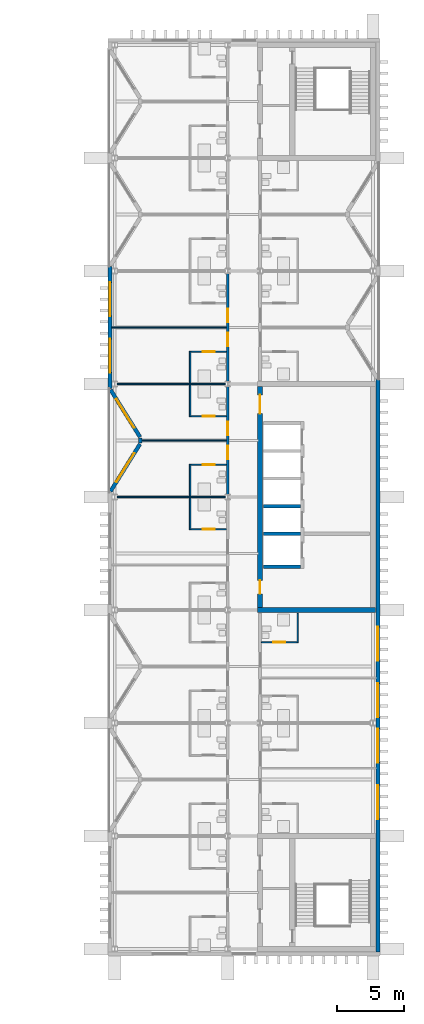
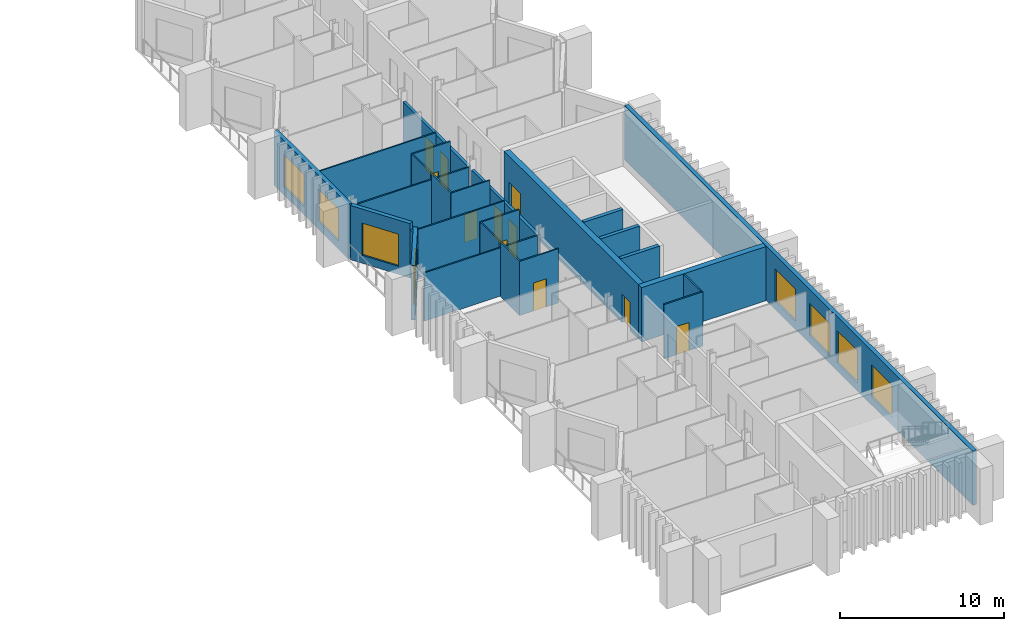
# One storey, part 13 of 18: 26 walls, 11 doors, 8 windows, 19 openings.
"""IFC4 building model written with IfcOpenShell, lengths in metres."""

from ifc_helpers import new_model, si_unit, direction, frame, frame_2d, origin, place, context, subcontext, project, spatial, rectangle, extrude, material, layer, layer_set, type_object, element, fill, save


model = new_model("IFC4")

# Units and contexts
model_context = context("Model", 3, precision=1e-05, world=origin(), true_north=direction((0.0, 1.0)))
body_context = subcontext(model_context, "Body", "Model", "MODEL_VIEW")
ifc_project = project(units=[si_unit("LENGTHUNIT", "METRE"), si_unit("AREAUNIT", "SQUARE_METRE"), si_unit("VOLUMEUNIT", "CUBIC_METRE"), si_unit("PLANEANGLEUNIT", "RADIAN"), si_unit("MASSUNIT", "GRAM", prefix="KILO")], contexts=[model_context])

# Site, building, storey
site_placement = place(None, origin())
site = spatial("IfcSite", under=ifc_project, at=site_placement, CompositionType="ELEMENT")
building_placement = place(site_placement, origin())
building = spatial("IfcBuilding", under=site, at=building_placement, Name="Cresset Court Congress Hotel", CompositionType="ELEMENT")
storey_placement = place(building_placement, frame((0.0, 0.0, 35.39990234375)))
storey = spatial("IfcBuildingStorey", under=building, at=storey_placement, Name="L08", CompositionType="ELEMENT", Elevation=35.39990234375)

# Wall, openings, doors
ifc_material_1 = material(Name="Gypsum board partition")
ifc_layer_1 = layer(ifc_material_1, 0.199951171875)
ifc_layer_set_1 = layer_set([ifc_layer_1], Name="Corridor wall 200")
wall_type_1 = type_object("IfcWallType", Name="Corridor wall 200", PredefinedType="PARTITIONING", material=ifc_layer_set_1)
wall_1_placement = place(storey_placement, frame((165.60009765625, 33.800048828125, 0.0), z_axis=(0.0, 0.0, 1.0), x_axis=(0.0, 1.0, 0.0)))
wall_1 = element("IfcWall", 1, at=wall_1_placement, inside=storey, type_object=wall_type_1, Name="A.wl.L08.074", PredefinedType="PARTITIONING", context=body_context, shape_type="SweptSolid", body=[
    extrude(rectangle(XDim=8.0, YDim=0.199951171875, at=frame_2d((4.0, 0.0))), origin(), (0.0, 0.0, 1.0), 3.4501953125),
])
opening_1_placement = place(wall_1_placement, frame((2.60009765625, 0.0, 0.0)))
opening_1 = element("IfcOpeningElement", 2, at=opening_1_placement, cuts=wall_1, Name="Opening DA-08-18", PredefinedType="OPENING", context=body_context, shape_type="SweptSolid", body=[
    extrude(rectangle(XDim=1.0, YDim=2.39990234375, at=frame_2d((0.5, 1.199951171875))), frame((0.0, 0.10986328125, 0.0), z_axis=(0.0, -1.0, 0.0), x_axis=(1.0, 0.0, 0.0)), (0.0, 0.0, 1.0), 0.219970703125),
])
opening_2_placement = place(wall_1_placement, frame((4.39990234375, 0.0, 0.0)))
opening_2 = element("IfcOpeningElement", 3, at=opening_2_placement, cuts=wall_1, Name="Opening DA-08-20", PredefinedType="OPENING", context=body_context, shape_type="SweptSolid", body=[
    extrude(rectangle(XDim=1.0, YDim=2.39990234375, at=frame_2d((0.5, 1.199951171875))), frame((0.0, 0.10986328125, 0.0), z_axis=(0.0, -1.0, 0.0), x_axis=(1.0, 0.0, 0.0)), (0.0, 0.0, 1.0), 0.219970703125),
])
ifc_material_2 = material(Name="timber", Category="wood")
door_type_1 = type_object("IfcDoorType", Name="Guest-room entry door 1000x2400 FD30S", OperationType="SINGLE_SWING_LEFT", PredefinedType="DOOR", material=ifc_material_2)
door_1_placement = place(opening_1_placement, origin())
door_1 = element("IfcDoor", 4, at=door_1_placement, inside=storey, type_object=door_type_1, Name="Door DA-08-18", OperationType="SINGLE_SWING_RIGHT", OverallHeight=2.39990234375, OverallWidth=1.0, PredefinedType="DOOR", context=body_context, shape_type="SweptSolid", body=[
    extrude(rectangle(XDim=1.0, YDim=2.39990234375, at=frame_2d((0.5, 1.199951171875))), frame((0.0, 0.02490234375, 0.0), z_axis=(0.0, -1.0, 0.0), x_axis=(1.0, 0.0, 0.0)), (0.0, 0.0, 1.0), 0.050048828125),
])
fill(opening_1, door_1)
door_2_placement = place(opening_2_placement, origin())
door_2 = element("IfcDoor", 5, at=door_2_placement, inside=storey, type_object=door_type_1, Name="Door DA-08-20", OperationType="SINGLE_SWING_LEFT", OverallHeight=2.39990234375, OverallWidth=1.0, PredefinedType="DOOR", context=body_context, shape_type="SweptSolid", body=[
    extrude(rectangle(XDim=1.0, YDim=2.39990234375, at=frame_2d((0.5, 1.199951171875))), frame((0.0, 0.02490234375, 0.0), z_axis=(0.0, -1.0, 0.0), x_axis=(1.0, 0.0, 0.0)), (0.0, 0.0, 1.0), 0.050048828125),
])
fill(opening_2, door_2)

wall_2_placement = place(storey_placement, frame((165.60009765625, 42.199951171875, 0.0), z_axis=(0.0, 0.0, 1.0), x_axis=(0.0, 1.0, 0.0)))
wall_2 = element("IfcWall", 6, at=wall_2_placement, inside=storey, type_object=wall_type_1, Name="A.wl.L08.075", PredefinedType="PARTITIONING", context=body_context, shape_type="SweptSolid", body=[
    extrude(rectangle(XDim=8.0, YDim=0.199951171875, at=frame_2d((4.0, 0.0))), origin(), (0.0, 0.0, 1.0), 3.4501953125),
])
opening_3_placement = place(wall_2_placement, frame((2.60009765625, 0.0, 0.0)))
opening_3 = element("IfcOpeningElement", 7, at=opening_3_placement, cuts=wall_2, Name="Opening DA-08-22", PredefinedType="OPENING", context=body_context, shape_type="SweptSolid", body=[
    extrude(rectangle(XDim=1.0, YDim=2.39990234375, at=frame_2d((0.5, 1.199951171875))), frame((0.0, 0.10986328125, 0.0), z_axis=(0.0, -1.0, 0.0), x_axis=(1.0, 0.0, 0.0)), (0.0, 0.0, 1.0), 0.219970703125),
])
opening_4_placement = place(wall_2_placement, frame((4.39990234375, 0.0, 0.0)))
opening_4 = element("IfcOpeningElement", 8, at=opening_4_placement, cuts=wall_2, Name="Opening DA-08-24", PredefinedType="OPENING", context=body_context, shape_type="SweptSolid", body=[
    extrude(rectangle(XDim=1.0, YDim=2.39990234375, at=frame_2d((0.5, 1.199951171875))), frame((0.0, 0.10986328125, 0.0), z_axis=(0.0, -1.0, 0.0), x_axis=(1.0, 0.0, 0.0)), (0.0, 0.0, 1.0), 0.219970703125),
])
door_3_placement = place(opening_3_placement, origin())
door_3 = element("IfcDoor", 9, at=door_3_placement, inside=storey, type_object=door_type_1, Name="Door DA-08-22", OperationType="SINGLE_SWING_RIGHT", OverallHeight=2.39990234375, OverallWidth=1.0, PredefinedType="DOOR", context=body_context, shape_type="SweptSolid", body=[
    extrude(rectangle(XDim=1.0, YDim=2.39990234375, at=frame_2d((0.5, 1.199951171875))), frame((0.0, 0.02490234375, 0.0), z_axis=(0.0, -1.0, 0.0), x_axis=(1.0, 0.0, 0.0)), (0.0, 0.0, 1.0), 0.050048828125),
])
fill(opening_3, door_3)
door_4_placement = place(opening_4_placement, origin())
door_4 = element("IfcDoor", 10, at=door_4_placement, inside=storey, type_object=door_type_1, Name="Door DA-08-24", OperationType="SINGLE_SWING_LEFT", OverallHeight=2.39990234375, OverallWidth=1.0, PredefinedType="DOOR", context=body_context, shape_type="SweptSolid", body=[
    extrude(rectangle(XDim=1.0, YDim=2.39990234375, at=frame_2d((0.5, 1.199951171875))), frame((0.0, 0.02490234375, 0.0), z_axis=(0.0, -1.0, 0.0), x_axis=(1.0, 0.0, 0.0)), (0.0, 0.0, 1.0), 0.050048828125),
])
fill(opening_4, door_4)

# Wall
ifc_material_3 = material(Name="Gypsum board partition")
ifc_layer_2 = layer(ifc_material_3, 0.10009765625)
ifc_layer_set_2 = layer_set([ifc_layer_2], Name="En-suite wall 100")
wall_type_2 = type_object("IfcWallType", Name="En-suite wall 100", PredefinedType="PARTITIONING", material=ifc_layer_set_2)
wall_3_placement = place(storey_placement, frame((162.800048828125, 31.199951171875, 0.0), z_axis=(0.0, 0.0, 1.0), x_axis=(0.0, 1.0, 0.0)))
element("IfcWall", 11, at=wall_3_placement, inside=storey, type_object=wall_type_2, Name="A.wl.L08.015", PredefinedType="PARTITIONING", context=body_context, shape_type="SweptSolid", body=[
    extrude(rectangle(XDim=2.324951171875, YDim=0.10009765625, at=frame_2d((1.16259765625, 0.0))), origin(), (0.0, 0.0, 1.0), 4.050048828125),
])

# Wall, opening, door
wall_4_placement = place(storey_placement, frame((162.75, 31.199951171875, 0.0), z_axis=(0.0, 0.0, 1.0), x_axis=(1.0, 0.0, 0.0)))
wall_4 = element("IfcWall", 12, at=wall_4_placement, inside=storey, type_object=wall_type_2, Name="A.wl.L08.016", PredefinedType="PARTITIONING", context=body_context, shape_type="SweptSolid", body=[
    extrude(rectangle(XDim=2.75, YDim=0.10009765625, at=frame_2d((1.375, 0.0))), origin(), (0.0, 0.0, 1.0), 4.050048828125),
])
opening_5_placement = place(wall_4_placement, frame((0.97998046875, 0.0, 0.0)))
opening_5 = element("IfcOpeningElement", 13, at=opening_5_placement, cuts=wall_4, Name="Opening DA-08-15", PredefinedType="OPENING", context=body_context, shape_type="SweptSolid", body=[
    extrude(rectangle(XDim=0.89990234375, YDim=2.10009765625, at=frame_2d((0.449951171875, 1.050048828125))), frame((0.0, 0.06005859375, 0.0), z_axis=(0.0, -1.0, 0.0), x_axis=(1.0, 0.0, 0.0)), (0.0, 0.0, 1.0), 0.1201171875),
])
ifc_material_4 = material(Name="timber", Category="wood")
door_type_2 = type_object("IfcDoorType", Name="En-suite door 900x2100", OperationType="SINGLE_SWING_LEFT", PredefinedType="DOOR", material=ifc_material_4)
door_5_placement = place(opening_5_placement, origin())
door_5 = element("IfcDoor", 14, at=door_5_placement, inside=storey, type_object=door_type_2, Name="Door DA-08-15", OperationType="SINGLE_SWING_LEFT", OverallHeight=2.10009765625, OverallWidth=0.89990234375, PredefinedType="DOOR", context=body_context, shape_type="SweptSolid", body=[
    extrude(rectangle(XDim=0.89990234375, YDim=2.10009765625, at=frame_2d((0.449951171875, 1.050048828125))), frame((0.0, 0.02490234375, 0.0), z_axis=(0.0, -1.0, 0.0), x_axis=(1.0, 0.0, 0.0)), (0.0, 0.0, 1.0), 0.050048828125),
])
fill(opening_5, door_5)

# Wall
wall_5_placement = place(storey_placement, frame((162.800048828125, 33.675048828125, 0.0), z_axis=(0.0, 0.0, 1.0), x_axis=(0.0, 1.0, 0.0)))
element("IfcWall", 15, at=wall_5_placement, inside=storey, type_object=wall_type_2, Name="A.wl.L08.017", PredefinedType="PARTITIONING", context=body_context, shape_type="SweptSolid", body=[
    extrude(rectangle(XDim=2.324951171875, YDim=0.10009765625, at=frame_2d((1.16259765625, 0.0))), origin(), (0.0, 0.0, 1.0), 4.050048828125),
])

# Wall, opening, door
wall_6_placement = place(storey_placement, frame((162.75, 36.0, 0.0), z_axis=(0.0, 0.0, 1.0), x_axis=(1.0, 0.0, 0.0)))
wall_6 = element("IfcWall", 16, at=wall_6_placement, inside=storey, type_object=wall_type_2, Name="A.wl.L08.018", PredefinedType="PARTITIONING", context=body_context, shape_type="SweptSolid", body=[
    extrude(rectangle(XDim=2.75, YDim=0.10009765625, at=frame_2d((1.375, 0.0))), origin(), (0.0, 0.0, 1.0), 4.050048828125),
])
opening_6_placement = place(wall_6_placement, frame((0.97998046875, 0.0, 0.0)))
opening_6 = element("IfcOpeningElement", 17, at=opening_6_placement, cuts=wall_6, Name="Opening DA-08-17", PredefinedType="OPENING", context=body_context, shape_type="SweptSolid", body=[
    extrude(rectangle(XDim=0.89990234375, YDim=2.10009765625, at=frame_2d((0.449951171875, 1.050048828125))), frame((0.0, 0.06005859375, 0.0), z_axis=(0.0, -1.0, 0.0), x_axis=(1.0, 0.0, 0.0)), (0.0, 0.0, 1.0), 0.1201171875),
])
door_6_placement = place(opening_6_placement, origin())
door_6 = element("IfcDoor", 18, at=door_6_placement, inside=storey, type_object=door_type_2, Name="Door DA-08-17", OperationType="SINGLE_SWING_RIGHT", OverallHeight=2.10009765625, OverallWidth=0.89990234375, PredefinedType="DOOR", context=body_context, shape_type="SweptSolid", body=[
    extrude(rectangle(XDim=0.89990234375, YDim=2.10009765625, at=frame_2d((0.449951171875, 1.050048828125))), frame((0.0, 0.02490234375, 0.0), z_axis=(0.0, -1.0, 0.0), x_axis=(1.0, 0.0, 0.0)), (0.0, 0.0, 1.0), 0.050048828125),
])
fill(opening_6, door_6)

# Wall
wall_7_placement = place(storey_placement, frame((162.800048828125, 39.60009765625, 0.0), z_axis=(0.0, 0.0, 1.0), x_axis=(0.0, 1.0, 0.0)))
element("IfcWall", 19, at=wall_7_placement, inside=storey, type_object=wall_type_2, Name="A.wl.L08.019", PredefinedType="PARTITIONING", context=body_context, shape_type="SweptSolid", body=[
    extrude(rectangle(XDim=2.324951171875, YDim=0.10009765625, at=frame_2d((1.16259765625, 0.0))), origin(), (0.0, 0.0, 1.0), 4.050048828125),
])

# Wall, opening, door
wall_8_placement = place(storey_placement, frame((162.75, 39.60009765625, 0.0), z_axis=(0.0, 0.0, 1.0), x_axis=(1.0, 0.0, 0.0)))
wall_8 = element("IfcWall", 20, at=wall_8_placement, inside=storey, type_object=wall_type_2, Name="A.wl.L08.020", PredefinedType="PARTITIONING", context=body_context, shape_type="SweptSolid", body=[
    extrude(rectangle(XDim=2.75, YDim=0.10009765625, at=frame_2d((1.375, 0.0))), origin(), (0.0, 0.0, 1.0), 4.050048828125),
])
opening_7_placement = place(wall_8_placement, frame((0.97998046875, 0.0, 0.0)))
opening_7 = element("IfcOpeningElement", 21, at=opening_7_placement, cuts=wall_8, Name="Opening DA-08-19", PredefinedType="OPENING", context=body_context, shape_type="SweptSolid", body=[
    extrude(rectangle(XDim=0.89990234375, YDim=2.10009765625, at=frame_2d((0.449951171875, 1.050048828125))), frame((0.0, 0.06005859375, 0.0), z_axis=(0.0, -1.0, 0.0), x_axis=(1.0, 0.0, 0.0)), (0.0, 0.0, 1.0), 0.1201171875),
])
door_7_placement = place(opening_7_placement, origin())
door_7 = element("IfcDoor", 22, at=door_7_placement, inside=storey, type_object=door_type_2, Name="Door DA-08-19", OperationType="SINGLE_SWING_LEFT", OverallHeight=2.10009765625, OverallWidth=0.89990234375, PredefinedType="DOOR", context=body_context, shape_type="SweptSolid", body=[
    extrude(rectangle(XDim=0.89990234375, YDim=2.10009765625, at=frame_2d((0.449951171875, 1.050048828125))), frame((0.0, 0.02490234375, 0.0), z_axis=(0.0, -1.0, 0.0), x_axis=(1.0, 0.0, 0.0)), (0.0, 0.0, 1.0), 0.050048828125),
])
fill(opening_7, door_7)

# Wall
wall_9_placement = place(storey_placement, frame((162.800048828125, 42.074951171875, 0.0), z_axis=(0.0, 0.0, 1.0), x_axis=(0.0, 1.0, 0.0)))
element("IfcWall", 23, at=wall_9_placement, inside=storey, type_object=wall_type_2, Name="A.wl.L08.021", PredefinedType="PARTITIONING", context=body_context, shape_type="SweptSolid", body=[
    extrude(rectangle(XDim=2.324951171875, YDim=0.10009765625, at=frame_2d((1.16259765625, 0.0))), origin(), (0.0, 0.0, 1.0), 4.050048828125),
])

# Wall, opening, door
wall_10_placement = place(storey_placement, frame((162.75, 44.39990234375, 0.0), z_axis=(0.0, 0.0, 1.0), x_axis=(1.0, 0.0, 0.0)))
wall_10 = element("IfcWall", 24, at=wall_10_placement, inside=storey, type_object=wall_type_2, Name="A.wl.L08.022", PredefinedType="PARTITIONING", context=body_context, shape_type="SweptSolid", body=[
    extrude(rectangle(XDim=2.75, YDim=0.10009765625, at=frame_2d((1.375, 0.0))), origin(), (0.0, 0.0, 1.0), 4.050048828125),
])
opening_8_placement = place(wall_10_placement, frame((0.97998046875, 0.0, 0.0)))
opening_8 = element("IfcOpeningElement", 25, at=opening_8_placement, cuts=wall_10, Name="Opening DA-08-21", PredefinedType="OPENING", context=body_context, shape_type="SweptSolid", body=[
    extrude(rectangle(XDim=0.89990234375, YDim=2.10009765625, at=frame_2d((0.449951171875, 1.050048828125))), frame((0.0, 0.06005859375, 0.0), z_axis=(0.0, -1.0, 0.0), x_axis=(1.0, 0.0, 0.0)), (0.0, 0.0, 1.0), 0.1201171875),
])
door_8_placement = place(opening_8_placement, origin())
door_8 = element("IfcDoor", 26, at=door_8_placement, inside=storey, type_object=door_type_2, Name="Door DA-08-21", OperationType="SINGLE_SWING_RIGHT", OverallHeight=2.10009765625, OverallWidth=0.89990234375, PredefinedType="DOOR", context=body_context, shape_type="SweptSolid", body=[
    extrude(rectangle(XDim=0.89990234375, YDim=2.10009765625, at=frame_2d((0.449951171875, 1.050048828125))), frame((0.0, 0.02490234375, 0.0), z_axis=(0.0, -1.0, 0.0), x_axis=(1.0, 0.0, 0.0)), (0.0, 0.0, 1.0), 0.050048828125),
])
fill(opening_8, door_8)

# Wall
wall_11_placement = place(storey_placement, frame((170.800048828125, 22.800048828125, 0.0), z_axis=(0.0, 0.0, 1.0), x_axis=(0.0, 1.0, 0.0)))
element("IfcWall", 27, at=wall_11_placement, inside=storey, type_object=wall_type_2, Name="A.wl.L08.039", PredefinedType="PARTITIONING", context=body_context, shape_type="SweptSolid", body=[
    extrude(rectangle(XDim=2.14990234375, YDim=0.10009765625, at=frame_2d((1.074951171875, 0.0))), origin(), (0.0, 0.0, 1.0), 4.050048828125),
])

# Wall, opening, door
wall_12_placement = place(storey_placement, frame((170.85009765625, 22.800048828125, 0.0), z_axis=(0.0, 0.0, 1.0), x_axis=(-1.0, 0.0, 0.0)))
wall_12 = element("IfcWall", 28, at=wall_12_placement, inside=storey, type_object=wall_type_2, Name="A.wl.L08.040", PredefinedType="PARTITIONING", context=body_context, shape_type="SweptSolid", body=[
    extrude(rectangle(XDim=2.75, YDim=0.10009765625, at=frame_2d((1.375, 0.0))), origin(), (0.0, 0.0, 1.0), 4.050048828125),
])
opening_9_placement = place(wall_12_placement, frame((0.97998046875, 0.0, 0.0)))
opening_9 = element("IfcOpeningElement", 29, at=opening_9_placement, cuts=wall_12, Name="Opening DA-08-39", PredefinedType="OPENING", context=body_context, shape_type="SweptSolid", body=[
    extrude(rectangle(XDim=0.89990234375, YDim=2.10009765625, at=frame_2d((0.449951171875, 1.050048828125))), frame((0.0, 0.06005859375, 0.0), z_axis=(0.0, -1.0, 0.0), x_axis=(1.0, 0.0, 0.0)), (0.0, 0.0, 1.0), 0.1201171875),
])
door_9_placement = place(opening_9_placement, origin())
door_9 = element("IfcDoor", 30, at=door_9_placement, inside=storey, type_object=door_type_2, Name="Door DA-08-39", OperationType="SINGLE_SWING_LEFT", OverallHeight=2.10009765625, OverallWidth=0.89990234375, PredefinedType="DOOR", context=body_context, shape_type="SweptSolid", body=[
    extrude(rectangle(XDim=0.89990234375, YDim=2.10009765625, at=frame_2d((0.449951171875, 1.050048828125))), frame((0.0, 0.02490234375, 0.0), z_axis=(0.0, -1.0, 0.0), x_axis=(1.0, 0.0, 0.0)), (0.0, 0.0, 1.0), 0.050048828125),
])
fill(opening_9, door_9)

# Wall, opening, window
ifc_material_5 = material(Name="Precast concrete C50", Category="concrete")
ifc_layer_3 = layer(ifc_material_5, 0.280029296875)
ifc_layer_set_3 = layer_set([ifc_layer_3], Name="External wall 280")
wall_type_3 = type_object("IfcWallType", Name="External wall 280", PredefinedType="SOLIDWALL", material=ifc_layer_set_3)
wall_13_placement = place(storey_placement, frame((156.88623046875, 34.024169921875, 0.0), z_axis=(0.0, 0.0, 1.0), x_axis=(0.529018946142, 0.848610013271, 0.0)))
wall_13 = element("IfcWall", 31, at=wall_13_placement, inside=storey, type_object=wall_type_3, Name="A.ew.L08.Wn.4.0", PredefinedType="SOLIDWALL", context=body_context, shape_type="SweptSolid", body=[
    extrude(rectangle(XDim=4.144287109375, YDim=0.280029296875, at=frame_2d((2.072265625, 0.0))), origin(), (0.0, 0.0, 1.0), 4.050048828125),
])
opening_10_placement = place(wall_13_placement, frame((0.812255859375, 0.0, 0.60009765625)))
opening_10 = element("IfcOpeningElement", 32, at=opening_10_placement, cuts=wall_13, Name="Opening NA-08-09", PredefinedType="OPENING", context=body_context, shape_type="SweptSolid", body=[
    extrude(rectangle(XDim=2.52001953125, YDim=2.39990234375, at=frame_2d((1.260009765625, 1.199951171875))), frame((0.0, 0.14990234375, 0.0), z_axis=(0.0, -1.0, 0.0), x_axis=(1.0, 0.0, 0.0)), (0.0, 0.0, 1.0), 0.300048828125),
])
ifc_material_6 = material(Name="Aluminium and glass", Category="aluminium")
window_type = type_object("IfcWindowType", Name="Window 2520x2400", PartitioningType="SINGLE_PANEL", PredefinedType="WINDOW", material=ifc_material_6)
window_1_placement = place(opening_10_placement, origin())
window_1 = element("IfcWindow", 33, at=window_1_placement, inside=storey, type_object=window_type, Name="Window NA-08-09", OverallHeight=2.39990234375, OverallWidth=2.52001953125, PartitioningType="SINGLE_PANEL", PredefinedType="WINDOW", context=body_context, shape_type="SweptSolid", body=[
    extrude(rectangle(XDim=2.52001953125, YDim=2.39990234375, at=frame_2d((1.260009765625, 1.199951171875))), frame((0.0, 0.030029296875, 0.0), z_axis=(0.0, -1.0, 0.0), x_axis=(1.0, 0.0, 0.0)), (0.0, 0.0, 1.0), 0.06005859375),
])
fill(opening_10, window_1)

wall_14_placement = place(storey_placement, frame((159.07861328125, 38.05908203125, 0.0), z_axis=(0.0, 0.0, 1.0), x_axis=(-0.529018946142, 0.848610013271, 0.0)))
wall_14 = element("IfcWall", 34, at=wall_14_placement, inside=storey, type_object=wall_type_3, Name="A.ew.L08.Wn.4.1", PredefinedType="SOLIDWALL", context=body_context, shape_type="SweptSolid", body=[
    extrude(rectangle(XDim=4.144287109375, YDim=0.280029296875, at=frame_2d((2.072265625, 0.0))), origin(), (0.0, 0.0, 1.0), 4.050048828125),
])
opening_11_placement = place(wall_14_placement, frame((0.812255859375, 0.0, 0.60009765625)))
opening_11 = element("IfcOpeningElement", 35, at=opening_11_placement, cuts=wall_14, Name="Opening NA-08-10", PredefinedType="OPENING", context=body_context, shape_type="SweptSolid", body=[
    extrude(rectangle(XDim=2.52001953125, YDim=2.39990234375, at=frame_2d((1.260009765625, 1.199951171875))), frame((0.0, 0.14990234375, 0.0), z_axis=(0.0, -1.0, 0.0), x_axis=(1.0, 0.0, 0.0)), (0.0, 0.0, 1.0), 0.300048828125),
])
window_2_placement = place(opening_11_placement, origin())
window_2 = element("IfcWindow", 36, at=window_2_placement, inside=storey, type_object=window_type, Name="Window NA-08-10", OverallHeight=2.39990234375, OverallWidth=2.52001953125, PartitioningType="SINGLE_PANEL", PredefinedType="WINDOW", context=body_context, shape_type="SweptSolid", body=[
    extrude(rectangle(XDim=2.52001953125, YDim=2.39990234375, at=frame_2d((1.260009765625, 1.199951171875))), frame((0.0, 0.030029296875, 0.0), z_axis=(0.0, -1.0, 0.0), x_axis=(1.0, 0.0, 0.0)), (0.0, 0.0, 1.0), 0.06005859375),
])
fill(opening_11, window_2)

# Wall
wall_15_placement = place(storey_placement, frame((159.099609375, 37.614990234375, 0.0), z_axis=(0.0, 0.0, 1.0), x_axis=(0.0, 1.0, 0.0)))
element("IfcWall", 37, at=wall_15_placement, inside=storey, type_object=wall_type_3, Name="A.ew.L08.Wn.4.2", PredefinedType="SOLIDWALL", context=body_context, shape_type="SweptSolid", body=[
    extrude(rectangle(XDim=0.369873046875, YDim=0.280029296875, at=frame_2d((0.18505859375, 0.0))), origin(), (0.0, 0.0, 1.0), 3.60400390625),
])

# Wall, openings, windows
wall_16_placement = place(storey_placement, frame((156.840087890625, 41.64990234375, 0.0), z_axis=(0.0, 0.0, 1.0), x_axis=(0.0, 1.0, 0.0)))
wall_16 = element("IfcWall", 38, at=wall_16_placement, inside=storey, type_object=wall_type_3, Name="A.ew.L08.W.4", PredefinedType="SOLIDWALL", context=body_context, shape_type="SweptSolid", body=[
    extrude(rectangle(XDim=9.10009765625, YDim=0.280029296875, at=frame_2d((4.550048828125, 0.0))), origin(), (0.0, 0.0, 1.0), 4.050048828125),
])
opening_12_placement = place(wall_16_placement, frame((1.18994140625, 0.0, 0.60009765625)))
opening_12 = element("IfcOpeningElement", 39, at=opening_12_placement, cuts=wall_16, Name="Opening NA-08-11", PredefinedType="OPENING", context=body_context, shape_type="SweptSolid", body=[
    extrude(rectangle(XDim=2.52001953125, YDim=2.39990234375, at=frame_2d((1.260009765625, 1.199951171875))), frame((0.0, 0.14990234375, 0.0), z_axis=(0.0, -1.0, 0.0), x_axis=(1.0, 0.0, 0.0)), (0.0, 0.0, 1.0), 0.300048828125),
])
opening_13_placement = place(wall_16_placement, frame((5.389892578125, 0.0, 0.60009765625)))
opening_13 = element("IfcOpeningElement", 40, at=opening_13_placement, cuts=wall_16, Name="Opening NA-08-12", PredefinedType="OPENING", context=body_context, shape_type="SweptSolid", body=[
    extrude(rectangle(XDim=2.52001953125, YDim=2.39990234375, at=frame_2d((1.260009765625, 1.199951171875))), frame((0.0, 0.14990234375, 0.0), z_axis=(0.0, -1.0, 0.0), x_axis=(1.0, 0.0, 0.0)), (0.0, 0.0, 1.0), 0.300048828125),
])
window_3_placement = place(opening_12_placement, origin())
window_3 = element("IfcWindow", 41, at=window_3_placement, inside=storey, type_object=window_type, Name="Window NA-08-11", OverallHeight=2.39990234375, OverallWidth=2.52001953125, PartitioningType="SINGLE_PANEL", PredefinedType="WINDOW", context=body_context, shape_type="SweptSolid", body=[
    extrude(rectangle(XDim=2.52001953125, YDim=2.39990234375, at=frame_2d((1.260009765625, 1.199951171875))), frame((0.0, 0.030029296875, 0.0), z_axis=(0.0, -1.0, 0.0), x_axis=(1.0, 0.0, 0.0)), (0.0, 0.0, 1.0), 0.06005859375),
])
fill(opening_12, window_3)
window_4_placement = place(opening_13_placement, origin())
window_4 = element("IfcWindow", 42, at=window_4_placement, inside=storey, type_object=window_type, Name="Window NA-08-12", OverallHeight=2.39990234375, OverallWidth=2.52001953125, PartitioningType="SINGLE_PANEL", PredefinedType="WINDOW", context=body_context, shape_type="SweptSolid", body=[
    extrude(rectangle(XDim=2.52001953125, YDim=2.39990234375, at=frame_2d((1.260009765625, 1.199951171875))), frame((0.0, 0.030029296875, 0.0), z_axis=(0.0, -1.0, 0.0), x_axis=(1.0, 0.0, 0.0)), (0.0, 0.0, 1.0), 0.06005859375),
])
fill(opening_13, window_4)

wall_17_placement = place(storey_placement, frame((176.760009765625, -0.219970703125, 0.0), z_axis=(0.0, 0.0, 1.0), x_axis=(0.0, 1.0, 0.0)))
wall_17 = element("IfcWall", 43, at=wall_17_placement, inside=storey, type_object=wall_type_3, Name="A.ew.L08.E.1", PredefinedType="SOLIDWALL", context=body_context, shape_type="SweptSolid", body=[
    extrude(rectangle(XDim=42.570068359375, YDim=0.280029296875, at=frame_2d((21.28515625, 0.0))), origin(), (0.0, 0.0, 1.0), 4.050048828125),
])
opening_14_placement = place(wall_17_placement, frame((9.8798828125, 0.0, 0.60009765625)))
opening_14 = element("IfcOpeningElement", 44, at=opening_14_placement, cuts=wall_17, Name="Opening NA-08-17", PredefinedType="OPENING", context=body_context, shape_type="SweptSolid", body=[
    extrude(rectangle(XDim=2.52001953125, YDim=2.39990234375, at=frame_2d((1.260009765625, 1.199951171875))), frame((0.0, 0.14990234375, 0.0), z_axis=(0.0, -1.0, 0.0), x_axis=(1.0, 0.0, 0.0)), (0.0, 0.0, 1.0), 0.300048828125),
])
opening_15_placement = place(wall_17_placement, frame((14.080078125, 0.0, 0.60009765625)))
opening_15 = element("IfcOpeningElement", 45, at=opening_15_placement, cuts=wall_17, Name="Opening NA-08-18", PredefinedType="OPENING", context=body_context, shape_type="SweptSolid", body=[
    extrude(rectangle(XDim=2.52001953125, YDim=2.39990234375, at=frame_2d((1.260009765625, 1.199951171875))), frame((0.0, 0.14990234375, 0.0), z_axis=(0.0, -1.0, 0.0), x_axis=(1.0, 0.0, 0.0)), (0.0, 0.0, 1.0), 0.300048828125),
])
opening_16_placement = place(wall_17_placement, frame((17.43994140625, 0.0, 0.60009765625)))
opening_16 = element("IfcOpeningElement", 46, at=opening_16_placement, cuts=wall_17, Name="Opening NA-08-19", PredefinedType="OPENING", context=body_context, shape_type="SweptSolid", body=[
    extrude(rectangle(XDim=2.52001953125, YDim=2.39990234375, at=frame_2d((1.260009765625, 1.199951171875))), frame((0.0, 0.14990234375, 0.0), z_axis=(0.0, -1.0, 0.0), x_axis=(1.0, 0.0, 0.0)), (0.0, 0.0, 1.0), 0.300048828125),
])
opening_17_placement = place(wall_17_placement, frame((21.639892578125, 0.0, 0.60009765625)))
opening_17 = element("IfcOpeningElement", 47, at=opening_17_placement, cuts=wall_17, Name="Opening NA-08-20", PredefinedType="OPENING", context=body_context, shape_type="SweptSolid", body=[
    extrude(rectangle(XDim=2.52001953125, YDim=2.39990234375, at=frame_2d((1.260009765625, 1.199951171875))), frame((0.0, 0.14990234375, 0.0), z_axis=(0.0, -1.0, 0.0), x_axis=(1.0, 0.0, 0.0)), (0.0, 0.0, 1.0), 0.300048828125),
])
window_5_placement = place(opening_14_placement, origin())
window_5 = element("IfcWindow", 48, at=window_5_placement, inside=storey, type_object=window_type, Name="Window NA-08-17", OverallHeight=2.39990234375, OverallWidth=2.52001953125, PartitioningType="SINGLE_PANEL", PredefinedType="WINDOW", context=body_context, shape_type="SweptSolid", body=[
    extrude(rectangle(XDim=2.52001953125, YDim=2.39990234375, at=frame_2d((1.260009765625, 1.199951171875))), frame((0.0, 0.030029296875, 0.0), z_axis=(0.0, -1.0, 0.0), x_axis=(1.0, 0.0, 0.0)), (0.0, 0.0, 1.0), 0.06005859375),
])
fill(opening_14, window_5)
window_6_placement = place(opening_15_placement, origin())
window_6 = element("IfcWindow", 49, at=window_6_placement, inside=storey, type_object=window_type, Name="Window NA-08-18", OverallHeight=2.39990234375, OverallWidth=2.52001953125, PartitioningType="SINGLE_PANEL", PredefinedType="WINDOW", context=body_context, shape_type="SweptSolid", body=[
    extrude(rectangle(XDim=2.52001953125, YDim=2.39990234375, at=frame_2d((1.260009765625, 1.199951171875))), frame((0.0, 0.030029296875, 0.0), z_axis=(0.0, -1.0, 0.0), x_axis=(1.0, 0.0, 0.0)), (0.0, 0.0, 1.0), 0.06005859375),
])
fill(opening_15, window_6)
window_7_placement = place(opening_16_placement, origin())
window_7 = element("IfcWindow", 50, at=window_7_placement, inside=storey, type_object=window_type, Name="Window NA-08-19", OverallHeight=2.39990234375, OverallWidth=2.52001953125, PartitioningType="SINGLE_PANEL", PredefinedType="WINDOW", context=body_context, shape_type="SweptSolid", body=[
    extrude(rectangle(XDim=2.52001953125, YDim=2.39990234375, at=frame_2d((1.260009765625, 1.199951171875))), frame((0.0, 0.030029296875, 0.0), z_axis=(0.0, -1.0, 0.0), x_axis=(1.0, 0.0, 0.0)), (0.0, 0.0, 1.0), 0.06005859375),
])
fill(opening_16, window_7)
window_8_placement = place(opening_17_placement, origin())
window_8 = element("IfcWindow", 51, at=window_8_placement, inside=storey, type_object=window_type, Name="Window NA-08-20", OverallHeight=2.39990234375, OverallWidth=2.52001953125, PartitioningType="SINGLE_PANEL", PredefinedType="WINDOW", context=body_context, shape_type="SweptSolid", body=[
    extrude(rectangle(XDim=2.52001953125, YDim=2.39990234375, at=frame_2d((1.260009765625, 1.199951171875))), frame((0.0, 0.030029296875, 0.0), z_axis=(0.0, -1.0, 0.0), x_axis=(1.0, 0.0, 0.0)), (0.0, 0.0, 1.0), 0.06005859375),
])
fill(opening_17, window_8)

# Walls
ifc_material_7 = material(Name="Gypsum board partition")
ifc_layer_4 = layer(ifc_material_7, 0.10009765625)
ifc_layer_set_4 = layer_set([ifc_layer_4], Name="Guest-room partition 100")
wall_type_4 = type_object("IfcWallType", Name="Guest-room partition 100", PredefinedType="PARTITIONING", material=ifc_layer_set_4)
for number, where, z_axis, x_axis, name in (
    (52, (157.39990234375, 33.60009765625, 0.0), (0.0, 0.0, 1.0), (1.0, 0.0, 0.0), "A.wl.L08.052"),
    (53, (157.39990234375, 42.0, 0.0), (0.0, 0.0, 1.0), (1.0, 0.0, 0.0), "A.wl.L08.053"),
):
    element("IfcWall", number, at=place(storey_placement, frame(where, z_axis=z_axis, x_axis=x_axis)), inside=storey, type_object=wall_type_4, Name=name, PredefinedType="PARTITIONING", context=body_context, shape_type="SweptSolid", body=[
        extrude(rectangle(XDim=8.0, YDim=0.10009765625, at=frame_2d((4.0, 0.0))), origin(), (0.0, 0.0, 1.0), 3.60400390625),
    ])
wall_18_placement = place(storey_placement, frame((159.23974609375, 37.800048828125, 0.0), z_axis=(0.0, 0.0, 1.0), x_axis=(1.0, 0.0, 0.0)))
element("IfcWall", 54, at=wall_18_placement, inside=storey, type_object=wall_type_4, Name="A.wl.L08.062", PredefinedType="PARTITIONING", context=body_context, shape_type="SweptSolid", body=[
    extrude(rectangle(XDim=6.26025390625, YDim=0.10009765625, at=frame_2d((3.130126953125, 0.0))), origin(), (0.0, 0.0, 1.0), 3.60400390625),
])
wall_19_placement = place(storey_placement, frame((156.97998046875, 46.199951171875, 0.0), z_axis=(0.0, 0.0, 1.0), x_axis=(1.0, 0.0, 0.0)))
element("IfcWall", 55, at=wall_19_placement, inside=storey, type_object=wall_type_4, Name="A.wl.L08.063", PredefinedType="PARTITIONING", context=body_context, shape_type="SweptSolid", body=[
    extrude(rectangle(XDim=8.52001953125, YDim=0.10009765625, at=frame_2d((4.260009765625, 0.0))), origin(), (0.0, 0.0, 1.0), 3.60400390625),
])
ifc_material_8 = material(Name="Concrete C50", Category="concrete")
ifc_layer_5 = layer(ifc_material_8, 0.39990234375)
ifc_layer_set_5 = layer_set([ifc_layer_5], Name="Lift core wall 400")
wall_type_5 = type_object("IfcWallType", Name="Lift core wall 400", PredefinedType="SOLIDWALL", material=ifc_layer_set_5)
wall_20_placement = place(storey_placement, frame((167.800048828125, 25.199951171875, 0.0), z_axis=(0.0, 0.0, 1.0), x_axis=(1.0, 0.0, 0.0)))
element("IfcWall", 56, at=wall_20_placement, inside=storey, type_object=wall_type_5, Name="A.cw.LC-A.L08.S", PredefinedType="SOLIDWALL", context=body_context, shape_type="SweptSolid", body=[
    extrude(rectangle(XDim=8.800048828125, YDim=0.39990234375, at=frame_2d((4.39990234375, 0.0))), origin(), (0.0, 0.0, 1.0), 4.050048828125),
])

# Wall, openings, doors
wall_21_placement = place(storey_placement, frame((168.0, 25.39990234375, 0.0), z_axis=(0.0, 0.0, 1.0), x_axis=(0.0, 1.0, 0.0)))
wall_21 = element("IfcWall", 57, at=wall_21_placement, inside=storey, type_object=wall_type_5, Name="A.cw.LC-A.L08.W", PredefinedType="SOLIDWALL", context=body_context, shape_type="SweptSolid", body=[
    extrude(rectangle(XDim=16.400146484375, YDim=0.39990234375, at=frame_2d((8.2001953125, 0.0))), origin(), (0.0, 0.0, 1.0), 4.050048828125),
])
opening_18_placement = place(wall_21_placement, frame((1.0, 0.0, 0.0)))
opening_18 = element("IfcOpeningElement", 58, at=opening_18_placement, cuts=wall_21, Name="Opening DA-08-60", PredefinedType="OPENING", context=body_context, shape_type="SweptSolid", body=[
    extrude(rectangle(XDim=1.0, YDim=2.10009765625, at=frame_2d((0.5, 1.050048828125))), frame((0.0, 0.2099609375, 0.0), z_axis=(0.0, -1.0, 0.0), x_axis=(1.0, 0.0, 0.0)), (0.0, 0.0, 1.0), 0.419921875),
])
opening_19_placement = place(wall_21_placement, frame((14.39990234375, 0.0, 0.0)))
opening_19 = element("IfcOpeningElement", 59, at=opening_19_placement, cuts=wall_21, Name="Opening DA-08-61", PredefinedType="OPENING", context=body_context, shape_type="SweptSolid", body=[
    extrude(rectangle(XDim=1.39990234375, YDim=2.10009765625, at=frame_2d((0.699951171875, 1.050048828125))), frame((0.0, 0.2099609375, 0.0), z_axis=(0.0, -1.0, 0.0), x_axis=(1.0, 0.0, 0.0)), (0.0, 0.0, 1.0), 0.419921875),
])
ifc_material_9 = material(Name="steel", Category="steel")
door_type_3 = type_object("IfcDoorType", Name="Lobby door 1000x2100 FD60", OperationType="SINGLE_SWING_LEFT", PredefinedType="DOOR", material=ifc_material_9)
door_10_placement = place(opening_18_placement, origin())
door_10 = element("IfcDoor", 60, at=door_10_placement, inside=storey, type_object=door_type_3, Name="Door DA-08-60", OperationType="SINGLE_SWING_RIGHT", OverallHeight=2.10009765625, OverallWidth=1.0, PredefinedType="DOOR", context=body_context, shape_type="SweptSolid", body=[
    extrude(rectangle(XDim=1.0, YDim=2.10009765625, at=frame_2d((0.5, 1.050048828125))), frame((0.0, 0.02490234375, 0.0), z_axis=(0.0, -1.0, 0.0), x_axis=(1.0, 0.0, 0.0)), (0.0, 0.0, 1.0), 0.050048828125),
])
fill(opening_18, door_10)
ifc_material_10 = material(Name="steel", Category="steel")
door_type_4 = type_object("IfcDoorType", Name="Lobby door 1400x2100 FD60", OperationType="DOUBLE_DOOR_DOUBLE_SWING", PredefinedType="DOOR", material=ifc_material_10)
door_11_placement = place(opening_19_placement, origin())
door_11 = element("IfcDoor", 61, at=door_11_placement, inside=storey, type_object=door_type_4, Name="Door DA-08-61", OperationType="DOUBLE_DOOR_DOUBLE_SWING", OverallHeight=2.10009765625, OverallWidth=1.39990234375, PredefinedType="DOOR", context=body_context, shape_type="SweptSolid", body=[
    extrude(rectangle(XDim=1.39990234375, YDim=2.10009765625, at=frame_2d((0.699951171875, 1.050048828125))), frame((0.0, 0.02490234375, 0.0), z_axis=(0.0, -1.0, 0.0), x_axis=(1.0, 0.0, 0.0)), (0.0, 0.0, 1.0), 0.050048828125),
])
fill(opening_19, door_11)

# Walls
ifc_material_11 = material(Name="Concrete C50", Category="concrete")
ifc_layer_6 = layer(ifc_material_11, 0.25)
ifc_layer_set_6 = layer_set([ifc_layer_6], Name="Lift shaft wall 250")
wall_type_6 = type_object("IfcWallType", Name="Lift shaft wall 250", PredefinedType="SOLIDWALL", material=ifc_layer_set_6)
for number, where, z_axis, x_axis, name in (
    (62, (168.25, 28.425048828125, 0.0), (0.0, 0.0, 1.0), (1.0, 0.0, 0.0), "A.wl.L08.087"),
    (63, (168.25, 30.875, 0.0), (0.0, 0.0, 1.0), (1.0, 0.0, 0.0), "A.wl.L08.088"),
    (64, (168.25, 32.925048828125, 0.0), (0.0, 0.0, 1.0), (1.0, 0.0, 0.0), "A.wl.L08.089"),
):
    element("IfcWall", number, at=place(storey_placement, frame(where, z_axis=z_axis, x_axis=x_axis)), inside=storey, type_object=wall_type_6, Name=name, PredefinedType="SOLIDWALL", context=body_context, shape_type="SweptSolid", body=[
        extrude(rectangle(XDim=2.75, YDim=0.25, at=frame_2d((1.375, 0.0))), origin(), (0.0, 0.0, 1.0), 4.050048828125),
    ])

save(model, "model.ifc")
